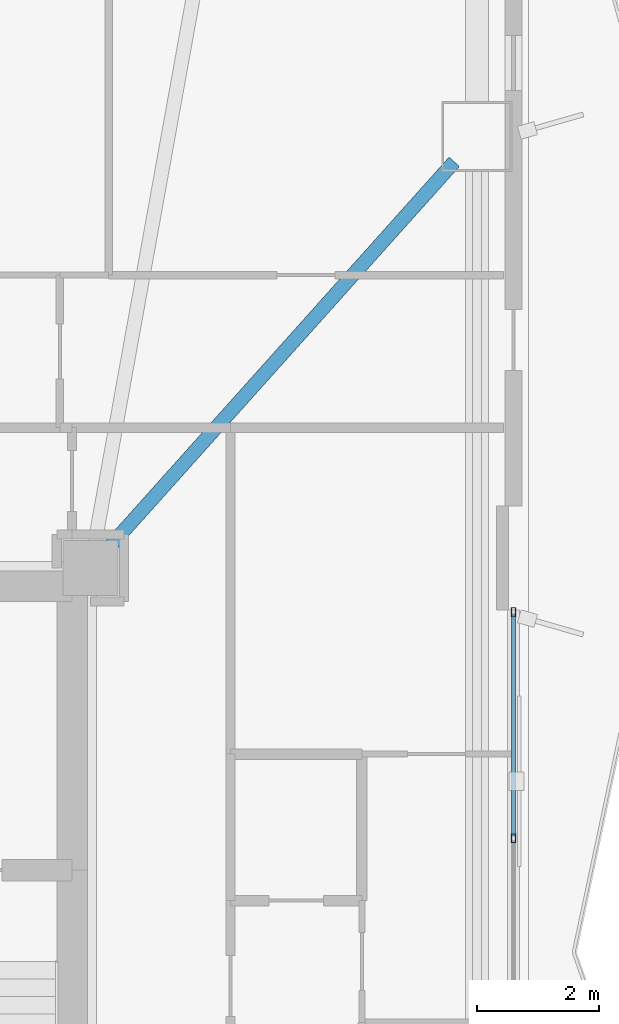
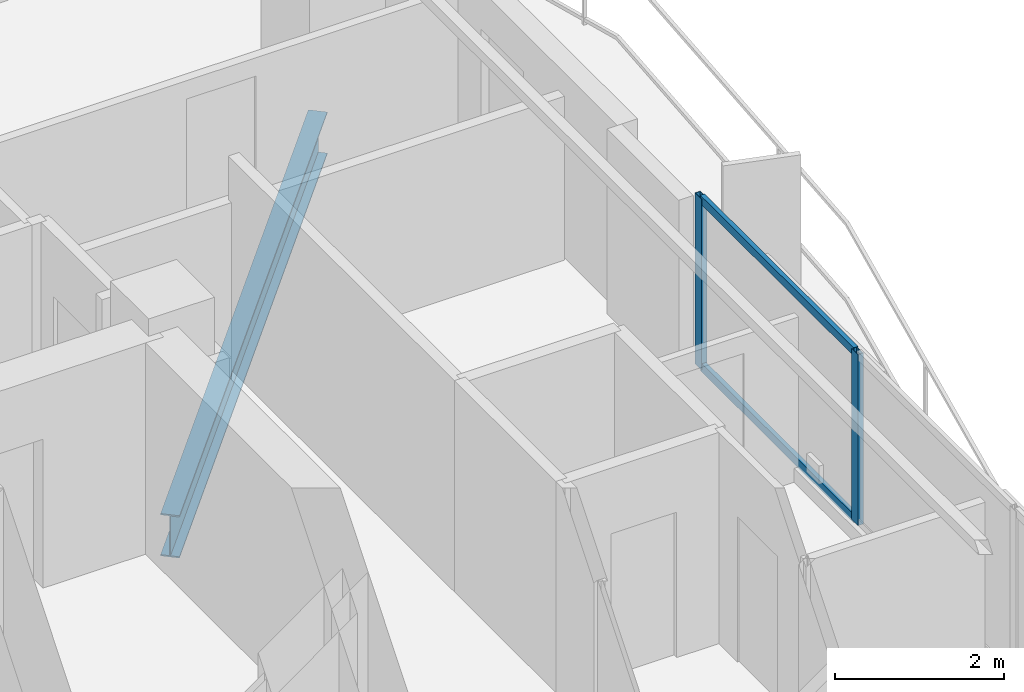
# One storey, part 10 of 23: 4 members, 1 beam, 1 element without a shape of its own.
"""IFC4 building model written with IfcOpenShell, lengths in metres."""

from ifc_helpers import new_model, si_unit, direction, frame, origin, origin_2d, place, context, subcontext, project, spatial, hollow_rectangle, i_section, extrude, material, layer, layer_set, material_profile, profile_set, type_object, element, aggregate, save


model = new_model("IFC4")

# Units and contexts
model_context = context("Model", 3, precision=1e-05, world=origin(), true_north=direction((0.0, 1.0)))
body_context = subcontext(model_context, "Body", "Model", "MODEL_VIEW")
ifc_project = project(units=[si_unit("LENGTHUNIT", "METRE"), si_unit("AREAUNIT", "SQUARE_METRE"), si_unit("VOLUMEUNIT", "CUBIC_METRE"), si_unit("PLANEANGLEUNIT", "RADIAN"), si_unit("MASSUNIT", "GRAM", prefix="KILO")], contexts=[model_context])

# Site, building, storey
site_placement = place(None, origin())
site = spatial("IfcSite", under=ifc_project, at=site_placement, CompositionType="ELEMENT")
building_placement = place(site_placement, origin())
building = spatial("IfcBuilding", under=site, at=building_placement, Name="Mersakhor Tower and Convention Hall", CompositionType="ELEMENT")
storey_placement = place(building_placement, frame((0.0, 0.0, 73.5)))
storey = spatial("IfcBuildingStorey", under=building, at=storey_placement, Name="L19", CompositionType="ELEMENT", Elevation=73.5)

# Beam
ifc_material_1 = material(Name="Steel S355", Category="steel")
ifc_material_profile_1 = material_profile(ifc_material_1, i_section(OverallWidth=0.22900390625, OverallDepth=0.6123046875, WebThickness=0.011962890625, FlangeThickness=0.01953125, at=origin_2d()), Name="UB 610x229x125")
ifc_profile_set_1 = profile_set([ifc_material_profile_1], Name="Steel S355")
beam_type = type_object("IfcBeamType", Name="BM-PR-610", PredefinedType="BEAM", material=ifc_profile_set_1)
beam_placement = place(storey_placement, frame((36.386962890625, 33.370361328125, -0.55615234375), z_axis=(0.66721913788, 0.744861478428, 0.0), x_axis=(-0.744861478428, 0.66721913788, 0.0)))
element("IfcBeam", 1, at=beam_placement, inside=storey, type_object=beam_type, Name="L19 Primary Floor Girder FG-3", PredefinedType="BEAM", context=body_context, shape_type="SweptSolid", body=[
    extrude(i_section(OverallWidth=0.22900390625, OverallDepth=0.6123046875, WebThickness=0.011962890625, FlangeThickness=0.01953125, at=origin_2d()), origin(), (0.0, 0.0, 1.0), 8.5087890625),
])

# Curtain wall, members
ifc_material_2 = material(Name="Dark solar low-E aluminium curtain wall", Category="aluminium")
ifc_layer = layer(ifc_material_2, 0.159912109375)
ifc_layer_set = layer_set([ifc_layer], Name="Dark solar low-E aluminium curtain wall")
curtain_wall_type = type_object("IfcCurtainWallType", Name="CW-SYS-01", PredefinedType="USERDEFINED", material=ifc_layer_set)
curtain_wall_placement = place(storey_placement, origin())
curtain_wall = element("IfcCurtainWall", 2, at=curtain_wall_placement, inside=storey, type_object=curtain_wall_type, Name="L19 Dark-Glass Curtain Wall F2-B2", ObjectType="CURTAIN WALL", PredefinedType="USERDEFINED")
ifc_material_3 = material(Name="Anodised aluminium EN AW-6063 T6", Category="aluminium")
ifc_material_profile_2 = material_profile(ifc_material_3, hollow_rectangle(XDim=0.074951171875, YDim=0.14990234375, WallThickness=0.00634765625, at=origin_2d()), Name="RHS 150x75x6.3")
ifc_profile_set_2 = profile_set([ifc_material_profile_2], Name="Anodised aluminium EN AW-6063 T6")
member_type_1 = type_object("IfcMemberType", Name="CWM-150x75", PredefinedType="MULLION", material=ifc_profile_set_2)
member_1_placement = place(storey_placement, frame((43.03466796875, 32.327392578125, 0.199951171875), z_axis=(0.0, 0.0, 1.0), x_axis=(1.0, 0.0, 0.0)))
member_1 = element("IfcMember", 3, at=member_1_placement, type_object=member_type_1, Name="CW-01 mullion 1", PredefinedType="MULLION", context=body_context, shape_type="SweptSolid", body=[
    extrude(hollow_rectangle(XDim=0.074951171875, YDim=0.14990234375, WallThickness=0.00634765625, at=origin_2d()), origin(), (0.0, 0.0, 1.0), 2.469970703125),
])
member_2_placement = place(storey_placement, frame((43.03466796875, 28.62158203125, 0.199951171875), z_axis=(0.0, 0.0, 1.0), x_axis=(1.0, 0.0, 0.0)))
member_2 = element("IfcMember", 4, at=member_2_placement, type_object=member_type_1, Name="CW-01 mullion 2", PredefinedType="MULLION", context=body_context, shape_type="SweptSolid", body=[
    extrude(hollow_rectangle(XDim=0.074951171875, YDim=0.14990234375, WallThickness=0.00634765625, at=origin_2d()), origin(), (0.0, 0.0, 1.0), 2.469970703125),
])
ifc_material_4 = material(Name="Anodised aluminium EN AW-6063 T6", Category="aluminium")
ifc_material_profile_3 = material_profile(ifc_material_4, hollow_rectangle(XDim=0.06005859375, YDim=0.1201171875, WallThickness=0.0048828125, at=origin_2d()), Name="RHS 120x60x5")
ifc_profile_set_3 = profile_set([ifc_material_profile_3], Name="Anodised aluminium EN AW-6063 T6")
member_type_2 = type_object("IfcMemberType", Name="CWT-120x60", PredefinedType="USERDEFINED", material=ifc_profile_set_3)
member_3_placement = place(storey_placement, frame((43.03466796875, 32.289794921875, 0.22998046875), z_axis=(0.0, -1.0, 0.0), x_axis=(1.0, 0.0, 0.0)))
member_3 = element("IfcMember", 5, at=member_3_placement, type_object=member_type_2, Name="CW-01 transom 1.1", ObjectType="TRANSOM", PredefinedType="USERDEFINED", context=body_context, shape_type="SweptSolid", body=[
    extrude(hollow_rectangle(XDim=0.06005859375, YDim=0.1201171875, WallThickness=0.0048828125, at=origin_2d()), origin(), (0.0, 0.0, 1.0), 3.630615234375),
])
member_4_placement = place(storey_placement, frame((43.03466796875, 32.289794921875, 2.639892578125), z_axis=(0.0, -1.0, 0.0), x_axis=(1.0, 0.0, 0.0)))
member_4 = element("IfcMember", 6, at=member_4_placement, type_object=member_type_2, Name="CW-01 transom 1.2", ObjectType="TRANSOM", PredefinedType="USERDEFINED", context=body_context, shape_type="SweptSolid", body=[
    extrude(hollow_rectangle(XDim=0.06005859375, YDim=0.1201171875, WallThickness=0.0048828125, at=origin_2d()), origin(), (0.0, 0.0, 1.0), 3.630615234375),
])
aggregate(curtain_wall, [member_1, member_2, member_3, member_4])

save(model, "model.ifc")
